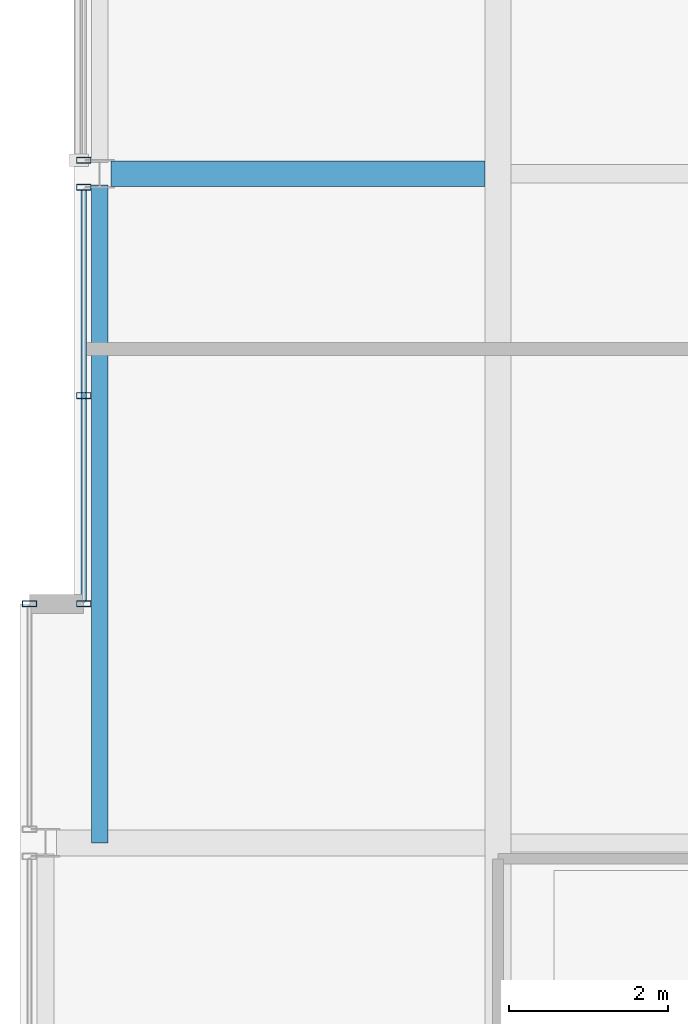
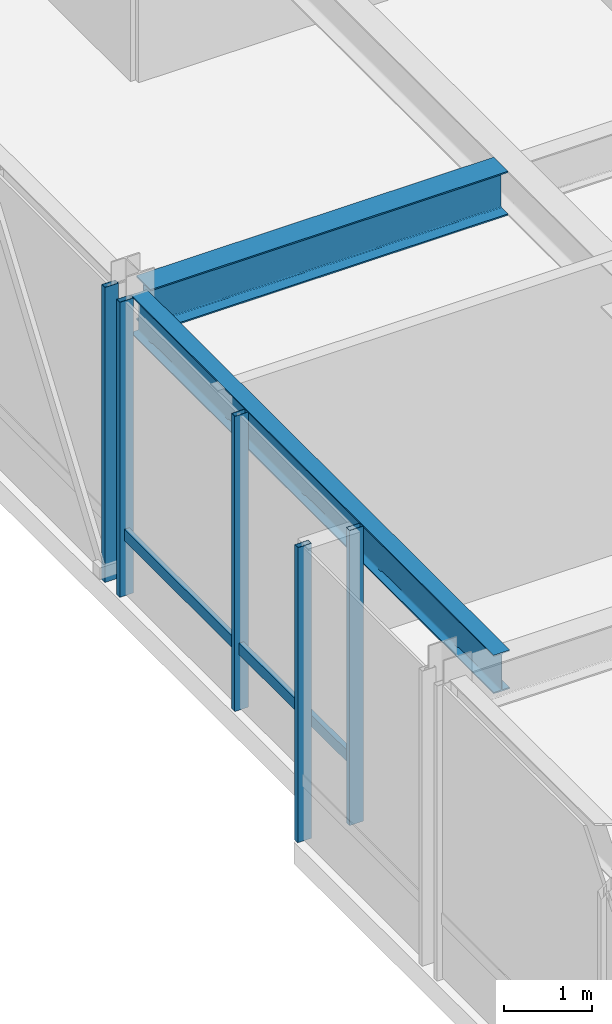
# One storey, part 12 of 34: 6 members, 2 beams, 3 elements without a shape of their own.
"""IFC4 building model written with IfcOpenShell, lengths in metres."""

from ifc_helpers import new_model, si_unit, direction, frame, origin, origin_2d, place, context, subcontext, project, spatial, hollow_rectangle, i_section, extrude, material, layer, layer_set, material_profile, profile_set, type_object, element, aggregate, save


model = new_model("IFC4")

# Units and contexts
model_context = context("Model", 3, precision=1e-05, world=origin(), true_north=direction((0.0, 1.0)))
body_context = subcontext(model_context, "Body", "Model", "MODEL_VIEW")
ifc_project = project(units=[si_unit("LENGTHUNIT", "METRE"), si_unit("AREAUNIT", "SQUARE_METRE"), si_unit("VOLUMEUNIT", "CUBIC_METRE"), si_unit("PLANEANGLEUNIT", "RADIAN"), si_unit("MASSUNIT", "GRAM", prefix="KILO")], contexts=[model_context])

# Site, building, storey
site_placement = place(None, origin())
site = spatial("IfcSite", under=ifc_project, at=site_placement, CompositionType="ELEMENT")
building_placement = place(site_placement, origin())
building = spatial("IfcBuilding", under=site, at=building_placement, Name="Drelvath Grand Hotel", CompositionType="ELEMENT")
storey_placement = place(building_placement, frame((0.0, 0.0, 294.199951171875)))
storey = spatial("IfcBuildingStorey", under=building, at=storey_placement, Name="L77", CompositionType="ELEMENT", Elevation=294.199951171875)

# Curtain wall, member
ifc_material_1 = material(Name="Platinum-Mist Anodised Aluminium Frame", Category="aluminium")
ifc_layer = layer(ifc_material_1, 0.199951171875)
ifc_layer_set = layer_set([ifc_layer], Name="Platinum-Mist Anodised Aluminium Frame")
curtain_wall_type = type_object("IfcCurtainWallType", Name="Stick Curtain Wall CW-05 Platinum Mist High-Rise", PredefinedType="NOTDEFINED", material=ifc_layer_set)
curtain_wall_1_placement = place(storey_placement, origin())
curtain_wall_1 = element("IfcCurtainWall", 1, at=curtain_wall_1_placement, inside=storey, type_object=curtain_wall_type, Name="L77 CW-05 Curtain Wall CW05-L77-WM1", PredefinedType="NOTDEFINED")
ifc_material_profile_1 = material_profile(ifc_material_1, hollow_rectangle(XDim=0.06494140625, YDim=0.159912109375, WallThickness=0.00390625, at=origin_2d()), Name="HSS160X65X4")
ifc_profile_set_1 = profile_set([ifc_material_profile_1], Name="Platinum-Mist Anodised Aluminium Frame")
member_type_1 = type_object("IfcMemberType", Name="Curtain Wall Horizontal Transom CW-05 HSS160X65X4", PredefinedType="USERDEFINED", material=ifc_profile_set_1)
member_1_placement = place(storey_placement, frame((-21.39990234375, 21.639892578125, 0.85009765625), z_axis=(0.0, 1.0, 0.0), x_axis=(-1.0, 0.0, 0.0)))
member_1 = element("IfcMember", 2, at=member_1_placement, type_object=member_type_1, Name="CW05-L77-WM1 Sill Transom", ObjectType="TRANSOM", PredefinedType="USERDEFINED", context=body_context, shape_type="SweptSolid", body=[
    extrude(hollow_rectangle(XDim=0.06494140625, YDim=0.159912109375, WallThickness=0.00390625, at=origin_2d()), origin(), (0.0, 0.0, 1.0), 5.150146484375),
])

curtain_wall_2_placement = place(storey_placement, origin())
curtain_wall_2 = element("IfcCurtainWall", 3, at=curtain_wall_2_placement, inside=storey, type_object=curtain_wall_type, Name="L77 CW-05 Curtain Wall CW05-L77-WS2", PredefinedType="NOTDEFINED")
ifc_material_profile_2 = material_profile(ifc_material_1, hollow_rectangle(XDim=0.074951171875, YDim=0.179931640625, WallThickness=0.0048828125, at=origin_2d()), Name="HSS180X75X5")
ifc_profile_set_2 = profile_set([ifc_material_profile_2], Name="Platinum-Mist Anodised Aluminium Frame")
member_type_2 = type_object("IfcMemberType", Name="Curtain Wall Vertical Mullion CW-05 HSS180X75X5", PredefinedType="MULLION", material=ifc_profile_set_2)
member_2_placement = place(storey_placement, frame((-22.080078125, 21.60009765625, 0.0), z_axis=(0.0, 0.0, 1.0), x_axis=(0.0, 1.0, 0.0)))
member_2 = element("IfcMember", 4, at=member_2_placement, type_object=member_type_2, Name="CW05-L77-WS2 Mullion 2", PredefinedType="MULLION", context=body_context, shape_type="SweptSolid", body=[
    extrude(hollow_rectangle(XDim=0.074951171875, YDim=0.179931640625, WallThickness=0.0048828125, at=origin_2d()), origin(), (0.0, 0.0, 1.0), 4.10009765625),
])
aggregate(curtain_wall_2, [member_2])

# Member
member_3_placement = place(storey_placement, frame((-21.39990234375, 21.60009765625, 0.0), z_axis=(0.0, 0.0, 1.0), x_axis=(0.0, 1.0, 0.0)))
member_3 = element("IfcMember", 5, at=member_3_placement, type_object=member_type_2, Name="CW05-L77-WM1 Mullion 1", PredefinedType="MULLION", context=body_context, shape_type="SweptSolid", body=[
    extrude(hollow_rectangle(XDim=0.074951171875, YDim=0.179931640625, WallThickness=0.0048828125, at=origin_2d()), origin(), (0.0, 0.0, 1.0), 4.10009765625),
])

member_4_placement = place(storey_placement, frame((-21.39990234375, 24.215087890625, 0.0), z_axis=(0.0, 0.0, 1.0), x_axis=(0.0, 1.0, 0.0)))
member_4 = element("IfcMember", 6, at=member_4_placement, type_object=member_type_2, Name="CW05-L77-WM1 Mullion 2", PredefinedType="MULLION", context=body_context, shape_type="SweptSolid", body=[
    extrude(hollow_rectangle(XDim=0.074951171875, YDim=0.179931640625, WallThickness=0.0048828125, at=origin_2d()), origin(), (0.0, 0.0, 1.0), 4.10009765625),
])

member_5_placement = place(storey_placement, frame((-21.39990234375, 26.830078125, 0.0), z_axis=(0.0, 0.0, 1.0), x_axis=(0.0, 1.0, 0.0)))
member_5 = element("IfcMember", 7, at=member_5_placement, type_object=member_type_2, Name="CW05-L77-WM1 Mullion 3", PredefinedType="MULLION", context=body_context, shape_type="SweptSolid", body=[
    extrude(hollow_rectangle(XDim=0.074951171875, YDim=0.179931640625, WallThickness=0.0048828125, at=origin_2d()), origin(), (0.0, 0.0, 1.0), 4.10009765625),
])

aggregate(curtain_wall_1, [member_3, member_4, member_5, member_1])

# Curtain wall, member
curtain_wall_3_placement = place(storey_placement, origin())
curtain_wall_3 = element("IfcCurtainWall", 8, at=curtain_wall_3_placement, inside=storey, type_object=curtain_wall_type, Name="L77 CW-05 Curtain Wall CW05-L77-WM2", PredefinedType="NOTDEFINED")
member_6_placement = place(storey_placement, frame((-21.39990234375, 27.169921875, 0.0), z_axis=(0.0, 0.0, 1.0), x_axis=(0.0, 1.0, 0.0)))
member_6 = element("IfcMember", 9, at=member_6_placement, type_object=member_type_2, Name="CW05-L77-WM2 Mullion 1", PredefinedType="MULLION", context=body_context, shape_type="SweptSolid", body=[
    extrude(hollow_rectangle(XDim=0.074951171875, YDim=0.179931640625, WallThickness=0.0048828125, at=origin_2d()), origin(), (0.0, 0.0, 1.0), 4.10009765625),
])
aggregate(curtain_wall_3, [member_6])

# Beams
ifc_material_2 = material(Name="Steel ASTM A992 Gr 50", Category="steel")
ifc_material_profile_3 = material_profile(ifc_material_2, i_section(OverallWidth=0.210205078125, OverallDepth=0.53662109375, WebThickness=0.010986328125, FlangeThickness=0.017333984375, FilletRadius=0.01806640625, at=origin_2d()), Name="W21X68")
ifc_profile_set_3 = profile_set([ifc_material_profile_3], Name="Steel ASTM A992 Gr 50")
beam_type_1 = type_object("IfcBeamType", Name="Perimeter Spandrel Beam W21X68", PredefinedType="SPANDREL", material=ifc_profile_set_3)
beam_1_placement = place(storey_placement, frame((-21.199951171875, 18.60009765625, 3.831787109375), z_axis=(0.0, 1.0, 0.0), x_axis=(-1.0, 0.0, 0.0)))
element("IfcBeam", 10, at=beam_1_placement, inside=storey, type_object=beam_type_1, Name="L77 Spandrel West Mid S", PredefinedType="SPANDREL", context=body_context, shape_type="SweptSolid", body=[
    extrude(i_section(OverallWidth=0.210205078125, OverallDepth=0.53662109375, WebThickness=0.010986328125, FlangeThickness=0.017333984375, FilletRadius=0.01806640625, at=origin_2d()), origin(), (0.0, 0.0, 1.0), 8.260009765625),
])
ifc_material_profile_4 = material_profile(ifc_material_2, i_section(OverallWidth=0.323974609375, OverallDepth=0.611083984375, WebThickness=0.0126953125, FlangeThickness=0.01904296875, FilletRadius=0.02197265625, at=origin_2d()), Name="W24X104")
ifc_profile_set_4 = profile_set([ifc_material_profile_4], Name="Steel ASTM A992 Gr 50")
beam_type_2 = type_object("IfcBeamType", Name="Primary Floor Girder W24X104", PredefinedType="BEAM", material=ifc_profile_set_4)
beam_2_placement = place(storey_placement, frame((-21.06005859375, 27.0, 3.79443359375), z_axis=(1.0, 0.0, 0.0), x_axis=(0.0, 1.0, 0.0)))
element("IfcBeam", 11, at=beam_2_placement, inside=storey, type_object=beam_type_2, Name="L77 West Wing Girder E", PredefinedType="BEAM", context=body_context, shape_type="SweptSolid", body=[
    extrude(i_section(OverallWidth=0.323974609375, OverallDepth=0.611083984375, WebThickness=0.0126953125, FlangeThickness=0.01904296875, FilletRadius=0.02197265625, at=origin_2d()), origin(), (0.0, 0.0, 1.0), 4.697998046875),
])

save(model, "model.ifc")
